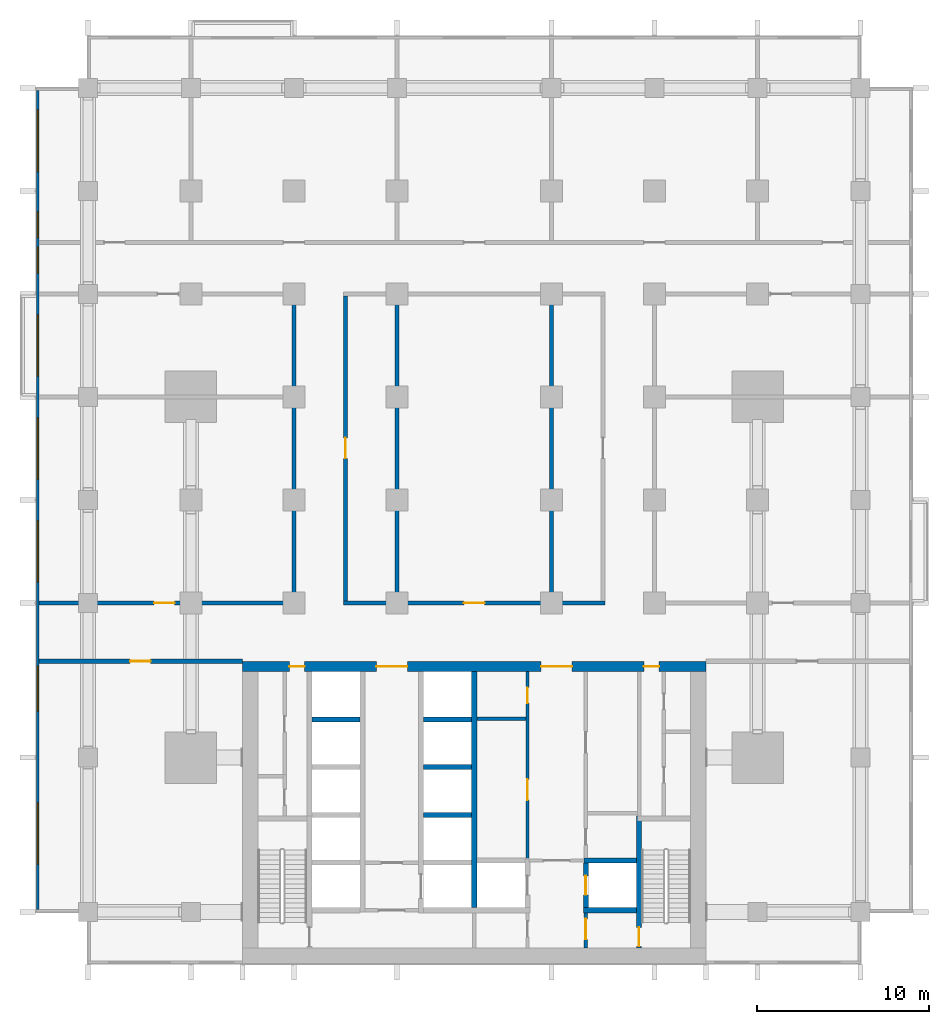
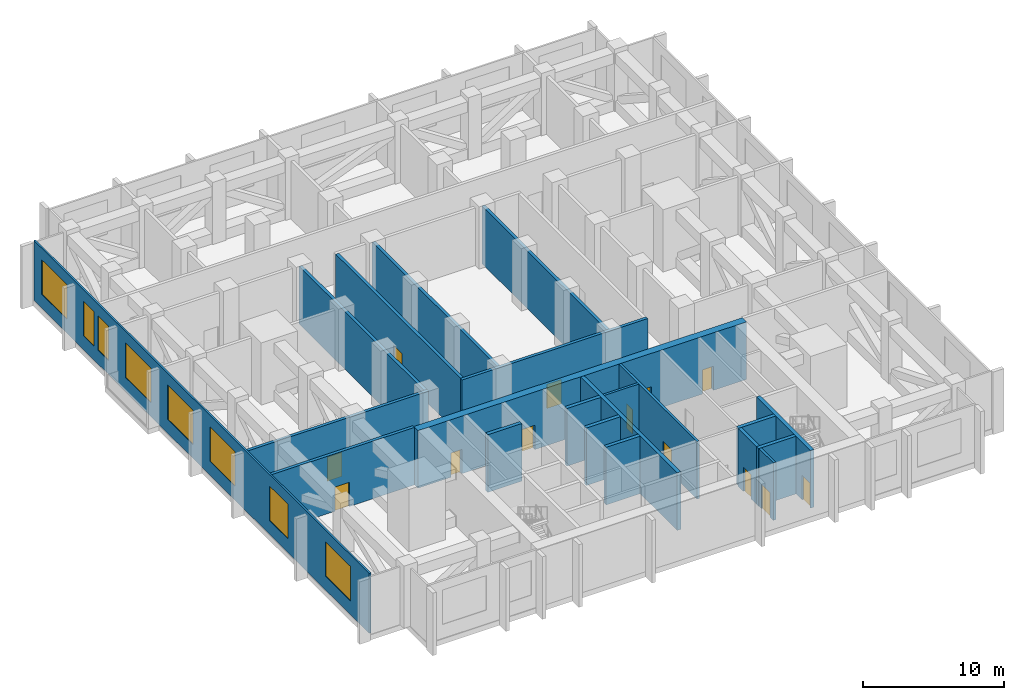
# One storey, part 3 of 13: 21 walls, 13 doors, 8 windows, 21 openings.
"""IFC4 building model written with IfcOpenShell, lengths in metres."""

from ifc_helpers import new_model, si_unit, direction, frame, frame_2d, origin, place, context, subcontext, project, spatial, rectangle, extrude, material, layer, layer_set, type_object, element, fill, save


model = new_model("IFC4")

# Units and contexts
model_context = context("Model", 3, precision=1e-05, world=origin(), true_north=direction((0.0, 1.0)))
body_context = subcontext(model_context, "Body", "Model", "MODEL_VIEW")
ifc_project = project(units=[si_unit("LENGTHUNIT", "METRE"), si_unit("AREAUNIT", "SQUARE_METRE"), si_unit("VOLUMEUNIT", "CUBIC_METRE"), si_unit("PLANEANGLEUNIT", "RADIAN"), si_unit("MASSUNIT", "GRAM", prefix="KILO")], contexts=[model_context])

# Site, building, storey
site_placement = place(None, origin())
site = spatial("IfcSite", under=ifc_project, at=site_placement, CompositionType="ELEMENT")
building_placement = place(site_placement, origin())
building = spatial("IfcBuilding", under=site, at=building_placement, Name="Finial Court Residences", CompositionType="ELEMENT")
storey_placement = place(building_placement, frame((0.0, 0.0, 75.699951171875)))
storey = spatial("IfcBuildingStorey", under=building, at=storey_placement, Name="L18", CompositionType="ELEMENT", Elevation=75.699951171875)

# Wall, openings, doors
ifc_material_1 = material(Name="Concrete C80/95", Category="concrete")
ifc_layer_1 = layer(ifc_material_1, 0.60009765625)
ifc_layer_set_1 = layer_set([ifc_layer_1], Name="Core outer wall 600 Concrete C80/95")
wall_type_1 = type_object("IfcWallType", Name="Core outer wall 600 Concrete C80/95", PredefinedType="SHEAR", material=ifc_layer_set_1)
wall_1_placement = place(storey_placement, frame((-13.5, -8.199951171875, 0.0), z_axis=(0.0, 0.0, 1.0), x_axis=(1.0, 0.0, 0.0)))
wall_1 = element("IfcWall", 1, at=wall_1_placement, inside=storey, type_object=wall_type_1, Name="Core outer wall L18-02", PredefinedType="SHEAR", context=body_context, shape_type="SweptSolid", body=[
    extrude(rectangle(XDim=27.0, YDim=0.60009765625, at=frame_2d((13.5, 0.0))), origin(), (0.0, 0.0, 1.0), 5.0),
])
opening_1_placement = place(wall_1_placement, frame((7.800048828125, 0.0, 0.0)))
opening_1 = element("IfcOpeningElement", 2, at=opening_1_placement, cuts=wall_1, Name="Opening L18-C03", PredefinedType="OPENING", context=body_context, shape_type="SweptSolid", body=[
    extrude(rectangle(XDim=1.800048828125, YDim=2.10009765625, at=frame_2d((0.89990234375, 1.050048828125))), frame((0.0, 0.31005859375, 0.0), z_axis=(0.0, -1.0, 0.0), x_axis=(1.0, 0.0, 0.0)), (0.0, 0.0, 1.0), 0.6201171875),
])
opening_2_placement = place(wall_1_placement, frame((17.39990234375, 0.0, 0.0)))
opening_2 = element("IfcOpeningElement", 3, at=opening_2_placement, cuts=wall_1, Name="Opening L18-C04", PredefinedType="OPENING", context=body_context, shape_type="SweptSolid", body=[
    extrude(rectangle(XDim=1.800048828125, YDim=2.10009765625, at=frame_2d((0.89990234375, 1.050048828125))), frame((0.0, 0.31005859375, 0.0), z_axis=(0.0, -1.0, 0.0), x_axis=(1.0, 0.0, 0.0)), (0.0, 0.0, 1.0), 0.6201171875),
])
opening_3_placement = place(wall_1_placement, frame((2.72509765625, 0.0, 0.0)))
opening_3 = element("IfcOpeningElement", 4, at=opening_3_placement, cuts=wall_1, Name="Opening L18-C13", PredefinedType="OPENING", context=body_context, shape_type="SweptSolid", body=[
    extrude(rectangle(XDim=0.89990234375, YDim=2.10009765625, at=frame_2d((0.449951171875, 1.050048828125))), frame((0.0, 0.31005859375, 0.0), z_axis=(0.0, -1.0, 0.0), x_axis=(1.0, 0.0, 0.0)), (0.0, 0.0, 1.0), 0.6201171875),
])
opening_4_placement = place(wall_1_placement, frame((23.375, 0.0, 0.0)))
opening_4 = element("IfcOpeningElement", 5, at=opening_4_placement, cuts=wall_1, Name="Opening L18-C14", PredefinedType="OPENING", context=body_context, shape_type="SweptSolid", body=[
    extrude(rectangle(XDim=0.89990234375, YDim=2.10009765625, at=frame_2d((0.449951171875, 1.050048828125))), frame((0.0, 0.31005859375, 0.0), z_axis=(0.0, -1.0, 0.0), x_axis=(1.0, 0.0, 0.0)), (0.0, 0.0, 1.0), 0.6201171875),
])
ifc_material_2 = material(Name="Steel fire door", Category="steel")
door_type_1 = type_object("IfcDoorType", Name="Lift lobby door 1800 x 2100 EI 60", OperationType="DOUBLE_DOOR_SINGLE_SWING", PredefinedType="DOOR", material=ifc_material_2)
door_1_placement = place(opening_1_placement, origin())
door_1 = element("IfcDoor", 6, at=door_1_placement, inside=storey, type_object=door_type_1, Name="Lift lobby door L18-C03", OperationType="DOUBLE_DOOR_SINGLE_SWING", OverallHeight=2.10009765625, OverallWidth=1.800048828125, PredefinedType="DOOR", context=body_context, shape_type="SweptSolid", body=[
    extrude(rectangle(XDim=1.800048828125, YDim=2.10009765625, at=frame_2d((0.89990234375, 1.050048828125))), frame((0.0, 0.02490234375, 0.0), z_axis=(0.0, -1.0, 0.0), x_axis=(1.0, 0.0, 0.0)), (0.0, 0.0, 1.0), 0.050048828125),
])
fill(opening_1, door_1)
door_2_placement = place(opening_2_placement, origin())
door_2 = element("IfcDoor", 7, at=door_2_placement, inside=storey, type_object=door_type_1, Name="Lift lobby door L18-C04", OperationType="DOUBLE_DOOR_SINGLE_SWING", OverallHeight=2.10009765625, OverallWidth=1.800048828125, PredefinedType="DOOR", context=body_context, shape_type="SweptSolid", body=[
    extrude(rectangle(XDim=1.800048828125, YDim=2.10009765625, at=frame_2d((0.89990234375, 1.050048828125))), frame((0.0, 0.02490234375, 0.0), z_axis=(0.0, -1.0, 0.0), x_axis=(1.0, 0.0, 0.0)), (0.0, 0.0, 1.0), 0.050048828125),
])
fill(opening_2, door_2)
door_type_2 = type_object("IfcDoorType", Name="Riser room door 900 x 2100 EI 90", OperationType="NOTDEFINED", PredefinedType="DOOR", material=ifc_material_2)
door_3_placement = place(opening_3_placement, origin())
door_3 = element("IfcDoor", 8, at=door_3_placement, inside=storey, type_object=door_type_2, Name="Riser room door L18-C13", OperationType="SINGLE_SWING_RIGHT", OverallHeight=2.10009765625, OverallWidth=0.89990234375, PredefinedType="DOOR", context=body_context, shape_type="SweptSolid", body=[
    extrude(rectangle(XDim=0.89990234375, YDim=2.10009765625, at=frame_2d((0.449951171875, 1.050048828125))), frame((0.0, 0.02490234375, 0.0), z_axis=(0.0, -1.0, 0.0), x_axis=(1.0, 0.0, 0.0)), (0.0, 0.0, 1.0), 0.050048828125),
])
fill(opening_3, door_3)
door_4_placement = place(opening_4_placement, origin())
door_4 = element("IfcDoor", 9, at=door_4_placement, inside=storey, type_object=door_type_2, Name="Riser room door L18-C14", OperationType="SINGLE_SWING_LEFT", OverallHeight=2.10009765625, OverallWidth=0.89990234375, PredefinedType="DOOR", context=body_context, shape_type="SweptSolid", body=[
    extrude(rectangle(XDim=0.89990234375, YDim=2.10009765625, at=frame_2d((0.449951171875, 1.050048828125))), frame((0.0, 0.02490234375, 0.0), z_axis=(0.0, -1.0, 0.0), x_axis=(1.0, 0.0, 0.0)), (0.0, 0.0, 1.0), 0.050048828125),
])
fill(opening_4, door_4)

# Wall, opening, door
ifc_material_3 = material(Name="Fire-rated gypsum board partition")
ifc_layer_2 = layer(ifc_material_3, 0.199951171875)
ifc_layer_set_2 = layer_set([ifc_layer_2], Name="Firefighting lobby wall 200 EI 120")
wall_type_2 = type_object("IfcWallType", Name="Firefighting lobby wall 200 EI 120", PredefinedType="PARTITIONING", material=ifc_layer_set_2)
wall_2_placement = place(storey_placement, frame((6.5, -22.550048828125, 0.0), z_axis=(0.0, 0.0, 1.0), x_axis=(0.0, -1.0, 0.0)))
wall_2 = element("IfcWall", 10, at=wall_2_placement, inside=storey, type_object=wall_type_2, Name="Core partition L18-34", PredefinedType="PARTITIONING", context=body_context, shape_type="SweptSolid", body=[
    extrude(rectangle(XDim=2.050048828125, YDim=0.199951171875, at=frame_2d((1.02490234375, 0.0))), origin(), (0.0, 0.0, 1.0), 5.0),
])
opening_5_placement = place(wall_2_placement, frame((0.35009765625, 0.0, 0.0)))
opening_5 = element("IfcOpeningElement", 11, at=opening_5_placement, cuts=wall_2, Name="Opening L18-C01", PredefinedType="OPENING", context=body_context, shape_type="SweptSolid", body=[
    extrude(rectangle(XDim=1.199951171875, YDim=2.10009765625, at=frame_2d((0.60009765625, 1.050048828125))), frame((0.0, 0.10986328125, 0.0), z_axis=(0.0, -1.0, 0.0), x_axis=(1.0, 0.0, 0.0)), (0.0, 0.0, 1.0), 0.219970703125),
])
door_type_3 = type_object("IfcDoorType", Name="Firefighting lobby door 1200 x 2100 EI 90", OperationType="NOTDEFINED", PredefinedType="DOOR", material=ifc_material_2)
door_5_placement = place(opening_5_placement, origin())
door_5 = element("IfcDoor", 12, at=door_5_placement, inside=storey, type_object=door_type_3, Name="Firefighting lobby door L18-C01", OperationType="SINGLE_SWING_RIGHT", OverallHeight=2.10009765625, OverallWidth=1.199951171875, PredefinedType="DOOR", context=body_context, shape_type="SweptSolid", body=[
    extrude(rectangle(XDim=1.199951171875, YDim=2.10009765625, at=frame_2d((0.60009765625, 1.050048828125))), frame((0.0, 0.02490234375, 0.0), z_axis=(0.0, -1.0, 0.0), x_axis=(1.0, 0.0, 0.0)), (0.0, 0.0, 1.0), 0.050048828125),
])
fill(opening_5, door_5)

# Walls
ifc_layer_3 = layer(ifc_material_1, 0.300048828125)
ifc_layer_set_3 = layer_set([ifc_layer_3], Name="Lift shaft and stair wall 300 Concrete C80/95")
wall_type_3 = type_object("IfcWallType", Name="Lift shaft and stair wall 300 Concrete C80/95", PredefinedType="SHEAR", material=ifc_layer_set_3)
wall_3_placement = place(storey_placement, frame((6.35009765625, -22.39990234375, 0.0), z_axis=(0.0, 0.0, 1.0), x_axis=(1.0, 0.0, 0.0)))
element("IfcWall", 13, at=wall_3_placement, inside=storey, type_object=wall_type_3, Name="Core wall L18-04", PredefinedType="SHEAR", context=body_context, shape_type="SweptSolid", body=[
    extrude(rectangle(XDim=3.099853515625, YDim=0.300048828125, at=frame_2d((1.5498046875, 0.0))), origin(), (0.0, 0.0, 1.0), 5.0),
])
wall_4_placement = place(storey_placement, frame((6.39990234375, -19.5, 0.0), z_axis=(0.0, 0.0, 1.0), x_axis=(1.0, 0.0, 0.0)))
element("IfcWall", 14, at=wall_4_placement, inside=storey, type_object=wall_type_3, Name="Core wall L18-10", PredefinedType="SHEAR", context=body_context, shape_type="SweptSolid", body=[
    extrude(rectangle(XDim=3.050048828125, YDim=0.300048828125, at=frame_2d((1.52490234375, 0.0))), origin(), (0.0, 0.0, 1.0), 5.0),
])
for number, where, z_axis, x_axis, name in (
    (15, (-2.949951171875, -16.840087890625, 0.0), (0.0, 0.0, 1.0), (1.0, 0.0, 0.0), "Core wall L18-14"),
    (16, (-2.949951171875, -14.06005859375, 0.0), (0.0, 0.0, 1.0), (1.0, 0.0, 0.0), "Core wall L18-18"),
    (17, (-9.449951171875, -11.280029296875, 0.0), (0.0, 0.0, 1.0), (1.0, 0.0, 0.0), "Core wall L18-20"),
    (18, (-2.949951171875, -11.280029296875, 0.0), (0.0, 0.0, 1.0), (1.0, 0.0, 0.0), "Core wall L18-21"),
):
    element("IfcWall", number, at=place(storey_placement, frame(where, z_axis=z_axis, x_axis=x_axis)), inside=storey, type_object=wall_type_3, Name=name, PredefinedType="SHEAR", context=body_context, shape_type="SweptSolid", body=[
        extrude(rectangle(XDim=2.800048828125, YDim=0.300048828125, at=frame_2d((1.39990234375, 0.0))), origin(), (0.0, 0.0, 1.0), 5.0),
    ])
wall_5_placement = place(storey_placement, frame((0.0, -22.25, 0.0), z_axis=(0.0, 0.0, 1.0), x_axis=(0.0, 1.0, 0.0)))
element("IfcWall", 19, at=wall_5_placement, inside=storey, type_object=wall_type_3, Name="Core wall L18-30", PredefinedType="SHEAR", context=body_context, shape_type="SweptSolid", body=[
    extrude(rectangle(XDim=13.75, YDim=0.300048828125, at=frame_2d((6.875, 0.0))), origin(), (0.0, 0.0, 1.0), 5.0),
])

# Wall, opening, door
wall_6_placement = place(storey_placement, frame((6.5, -22.25, 0.0), z_axis=(0.0, 0.0, 1.0), x_axis=(0.0, 1.0, 0.0)))
wall_6 = element("IfcWall", 20, at=wall_6_placement, inside=storey, type_object=wall_type_3, Name="Core wall L18-35", PredefinedType="SHEAR", context=body_context, shape_type="SweptSolid", body=[
    extrude(rectangle(XDim=2.60009765625, YDim=0.300048828125, at=frame_2d((1.300048828125, 0.0))), origin(), (0.0, 0.0, 1.0), 5.0),
])
opening_6_placement = place(wall_6_placement, frame((0.75, 0.0, 0.0)))
opening_6 = element("IfcOpeningElement", 21, at=opening_6_placement, cuts=wall_6, Name="Opening L18-LD02", PredefinedType="OPENING", context=body_context, shape_type="SweptSolid", body=[
    extrude(rectangle(XDim=1.10009765625, YDim=2.10009765625, at=frame_2d((0.550048828125, 1.050048828125))), frame((0.0, 0.159912109375, 0.0), z_axis=(0.0, -1.0, 0.0), x_axis=(1.0, 0.0, 0.0)), (0.0, 0.0, 1.0), 0.320068359375),
])
ifc_material_4 = material(Name="Stainless steel lift door", Category="steel")
door_type_4 = type_object("IfcDoorType", Name="Lift landing door 1100 x 2100 EI 90", OperationType="DOUBLE_DOOR_SLIDING", PredefinedType="DOOR", material=ifc_material_4)
door_6_placement = place(opening_6_placement, origin())
door_6 = element("IfcDoor", 22, at=door_6_placement, inside=storey, type_object=door_type_4, Name="Lift landing door FF2 L18", OperationType="DOUBLE_DOOR_SLIDING", OverallHeight=2.10009765625, OverallWidth=1.10009765625, PredefinedType="DOOR", context=body_context, shape_type="SweptSolid", body=[
    extrude(rectangle(XDim=1.10009765625, YDim=2.10009765625, at=frame_2d((0.550048828125, 1.050048828125))), frame((0.0, 0.02490234375, 0.0), z_axis=(0.0, -1.0, 0.0), x_axis=(1.0, 0.0, 0.0)), (0.0, 0.0, 1.0), 0.050048828125),
])
fill(opening_6, door_6)

wall_7_placement = place(storey_placement, frame((9.60009765625, -16.89990234375, 0.0), z_axis=(0.0, 0.0, 1.0), x_axis=(0.0, -1.0, 0.0)))
wall_7 = element("IfcWall", 23, at=wall_7_placement, inside=storey, type_object=wall_type_3, Name="Core wall L18-37", PredefinedType="SHEAR", context=body_context, shape_type="SweptSolid", body=[
    extrude(rectangle(XDim=7.7001953125, YDim=0.300048828125, at=frame_2d((3.85009765625, 0.0))), origin(), (0.0, 0.0, 1.0), 5.0),
])
opening_7_placement = place(wall_7_placement, frame((6.5, 0.0, 0.0)))
opening_7 = element("IfcOpeningElement", 24, at=opening_7_placement, cuts=wall_7, Name="Opening L18-C19", PredefinedType="OPENING", context=body_context, shape_type="SweptSolid", body=[
    extrude(rectangle(XDim=1.10009765625, YDim=2.10009765625, at=frame_2d((0.550048828125, 1.050048828125))), frame((0.0, 0.159912109375, 0.0), z_axis=(0.0, -1.0, 0.0), x_axis=(1.0, 0.0, 0.0)), (0.0, 0.0, 1.0), 0.320068359375),
])
door_type_5 = type_object("IfcDoorType", Name="Stair door 1100 x 2100 EI 90", OperationType="NOTDEFINED", PredefinedType="DOOR", material=ifc_material_2)
door_7_placement = place(opening_7_placement, origin())
door_7 = element("IfcDoor", 25, at=door_7_placement, inside=storey, type_object=door_type_5, Name="Stair door L18-C19", OperationType="SINGLE_SWING_RIGHT", OverallHeight=2.10009765625, OverallWidth=1.10009765625, PredefinedType="DOOR", context=body_context, shape_type="SweptSolid", body=[
    extrude(rectangle(XDim=1.10009765625, YDim=2.10009765625, at=frame_2d((0.550048828125, 1.050048828125))), frame((0.0, 0.02490234375, 0.0), z_axis=(0.0, -1.0, 0.0), x_axis=(1.0, 0.0, 0.0)), (0.0, 0.0, 1.0), 0.050048828125),
])
fill(opening_7, door_7)

ifc_material_5 = material(Name="Fire-rated board")
ifc_layer_4 = layer(ifc_material_5, 0.050048828125)
ifc_material_6 = material(Name="Mineral wool in double frame")
ifc_layer_5 = layer(ifc_material_6, 0.14990234375)
ifc_layer_6 = layer(ifc_material_5, 0.050048828125)
ifc_layer_set_4 = layer_set([ifc_layer_4, ifc_layer_5, ifc_layer_6], Name="Plant room wall 250, 2 hour")
wall_type_4 = type_object("IfcWallType", Name="Plant room wall 250, 2 hour", PredefinedType="PARTITIONING", material=ifc_layer_set_4)
wall_8_placement = place(storey_placement, frame((-25.35009765625, -7.89990234375, 0.0), z_axis=(0.0, 0.0, 1.0), x_axis=(1.0, 0.0, 0.0)))
wall_8 = element("IfcWall", 26, at=wall_8_placement, inside=storey, type_object=wall_type_4, Name="Partition L18-000", PredefinedType="PARTITIONING", context=body_context, shape_type="SweptSolid", body=[
    extrude(rectangle(XDim=11.85009765625, YDim=0.25, at=frame_2d((5.925048828125, 0.0))), origin(), (0.0, 0.0, 1.0), 5.0),
])
opening_8_placement = place(wall_8_placement, frame((5.300048828125, 0.0, 0.0)))
opening_8 = element("IfcOpeningElement", 27, at=opening_8_placement, cuts=wall_8, Name="Opening L18-D001", PredefinedType="OPENING", context=body_context, shape_type="SweptSolid", body=[
    extrude(rectangle(XDim=1.199951171875, YDim=2.10009765625, at=frame_2d((0.60009765625, 1.050048828125))), frame((0.0, 0.135009765625, 0.0), z_axis=(0.0, -1.0, 0.0), x_axis=(1.0, 0.0, 0.0)), (0.0, 0.0, 1.0), 0.27001953125),
])
ifc_material_7 = material(Name="Timber door leaf in hollow metal frame", Category="wood")
door_type_6 = type_object("IfcDoorType", Name="Fire door set 1200 x 2100, 60 minutes", OperationType="SINGLE_SWING_LEFT", PredefinedType="DOOR", material=ifc_material_7)
door_8_placement = place(opening_8_placement, origin())
door_8 = element("IfcDoor", 28, at=door_8_placement, inside=storey, type_object=door_type_6, Name="Door L18-D001", OperationType="SINGLE_SWING_LEFT", OverallHeight=2.10009765625, OverallWidth=1.199951171875, PredefinedType="DOOR", context=body_context, shape_type="SweptSolid", body=[
    extrude(rectangle(XDim=1.199951171875, YDim=2.10009765625, at=frame_2d((0.60009765625, 1.050048828125))), frame((0.0, 0.02490234375, 0.0), z_axis=(0.0, -1.0, 0.0), x_axis=(1.0, 0.0, 0.0)), (0.0, 0.0, 1.0), 0.050048828125),
])
fill(opening_8, door_8)

wall_9_placement = place(storey_placement, frame((-25.35009765625, -4.5, 0.0), z_axis=(0.0, 0.0, 1.0), x_axis=(1.0, 0.0, 0.0)))
wall_9 = element("IfcWall", 29, at=wall_9_placement, inside=storey, type_object=wall_type_4, Name="Partition L18-002", PredefinedType="PARTITIONING", context=body_context, shape_type="SweptSolid", body=[
    extrude(rectangle(XDim=14.97509765625, YDim=0.25, at=frame_2d((7.487548828125, 0.0))), origin(), (0.0, 0.0, 1.0), 5.0),
])
opening_9_placement = place(wall_9_placement, frame((6.699951171875, 0.0, 0.0)))
opening_9 = element("IfcOpeningElement", 30, at=opening_9_placement, cuts=wall_9, Name="Opening L18-D003", PredefinedType="OPENING", context=body_context, shape_type="SweptSolid", body=[
    extrude(rectangle(XDim=1.199951171875, YDim=2.10009765625, at=frame_2d((0.60009765625, 1.050048828125))), frame((0.0, 0.135009765625, 0.0), z_axis=(0.0, -1.0, 0.0), x_axis=(1.0, 0.0, 0.0)), (0.0, 0.0, 1.0), 0.27001953125),
])
door_9_placement = place(opening_9_placement, origin())
door_9 = element("IfcDoor", 31, at=door_9_placement, inside=storey, type_object=door_type_6, Name="Door L18-D003", OperationType="SINGLE_SWING_RIGHT", OverallHeight=2.10009765625, OverallWidth=1.199951171875, PredefinedType="DOOR", context=body_context, shape_type="SweptSolid", body=[
    extrude(rectangle(XDim=1.199951171875, YDim=2.10009765625, at=frame_2d((0.60009765625, 1.050048828125))), frame((0.0, 0.02490234375, 0.0), z_axis=(0.0, -1.0, 0.0), x_axis=(1.0, 0.0, 0.0)), (0.0, 0.0, 1.0), 0.050048828125),
])
fill(opening_9, door_9)

wall_10_placement = place(storey_placement, frame((-7.625, -4.5, 0.0), z_axis=(0.0, 0.0, 1.0), x_axis=(1.0, 0.0, 0.0)))
wall_10 = element("IfcWall", 32, at=wall_10_placement, inside=storey, type_object=wall_type_4, Name="Partition L18-003", PredefinedType="PARTITIONING", context=body_context, shape_type="SweptSolid", body=[
    extrude(rectangle(XDim=15.25, YDim=0.25, at=frame_2d((7.625, 0.0))), origin(), (0.0, 0.0, 1.0), 5.0),
])
opening_10_placement = place(wall_10_placement, frame((7.02490234375, 0.0, 0.0)))
opening_10 = element("IfcOpeningElement", 33, at=opening_10_placement, cuts=wall_10, Name="Opening L18-D004", PredefinedType="OPENING", context=body_context, shape_type="SweptSolid", body=[
    extrude(rectangle(XDim=1.199951171875, YDim=2.10009765625, at=frame_2d((0.60009765625, 1.050048828125))), frame((0.0, 0.135009765625, 0.0), z_axis=(0.0, -1.0, 0.0), x_axis=(1.0, 0.0, 0.0)), (0.0, 0.0, 1.0), 0.27001953125),
])
door_10_placement = place(opening_10_placement, origin())
door_10 = element("IfcDoor", 34, at=door_10_placement, inside=storey, type_object=door_type_6, Name="Door L18-D004", OperationType="SINGLE_SWING_RIGHT", OverallHeight=2.10009765625, OverallWidth=1.199951171875, PredefinedType="DOOR", context=body_context, shape_type="SweptSolid", body=[
    extrude(rectangle(XDim=1.199951171875, YDim=2.10009765625, at=frame_2d((0.60009765625, 1.050048828125))), frame((0.0, 0.02490234375, 0.0), z_axis=(0.0, -1.0, 0.0), x_axis=(1.0, 0.0, 0.0)), (0.0, 0.0, 1.0), 0.050048828125),
])
fill(opening_10, door_10)

# Wall
wall_11_placement = place(storey_placement, frame((-10.5, -4.375, 0.0), z_axis=(0.0, 0.0, 1.0), x_axis=(0.0, 1.0, 0.0)))
element("IfcWall", 35, at=wall_11_placement, inside=storey, type_object=wall_type_4, Name="Partition L18-012", PredefinedType="PARTITIONING", context=body_context, shape_type="SweptSolid", body=[
    extrude(rectangle(XDim=17.75, YDim=0.25, at=frame_2d((8.875, 0.0))), origin(), (0.0, 0.0, 1.0), 5.0),
])

# Wall, opening, door
wall_12_placement = place(storey_placement, frame((-7.5, -4.375, 0.0), z_axis=(0.0, 0.0, 1.0), x_axis=(0.0, 1.0, 0.0)))
wall_12 = element("IfcWall", 36, at=wall_12_placement, inside=storey, type_object=wall_type_4, Name="Partition L18-013", PredefinedType="PARTITIONING", context=body_context, shape_type="SweptSolid", body=[
    extrude(rectangle(XDim=17.75, YDim=0.25, at=frame_2d((8.875, 0.0))), origin(), (0.0, 0.0, 1.0), 5.0),
])
opening_11_placement = place(wall_12_placement, frame((8.300048828125, 0.0, 0.0)))
opening_11 = element("IfcOpeningElement", 37, at=opening_11_placement, cuts=wall_12, Name="Opening L18-D013", PredefinedType="OPENING", context=body_context, shape_type="SweptSolid", body=[
    extrude(rectangle(XDim=1.199951171875, YDim=2.10009765625, at=frame_2d((0.60009765625, 1.050048828125))), frame((0.0, 0.135009765625, 0.0), z_axis=(0.0, -1.0, 0.0), x_axis=(1.0, 0.0, 0.0)), (0.0, 0.0, 1.0), 0.27001953125),
])
door_11_placement = place(opening_11_placement, origin())
door_11 = element("IfcDoor", 38, at=door_11_placement, inside=storey, type_object=door_type_6, Name="Door L18-D013", OperationType="SINGLE_SWING_LEFT", OverallHeight=2.10009765625, OverallWidth=1.199951171875, PredefinedType="DOOR", context=body_context, shape_type="SweptSolid", body=[
    extrude(rectangle(XDim=1.199951171875, YDim=2.10009765625, at=frame_2d((0.60009765625, 1.050048828125))), frame((0.0, 0.02490234375, 0.0), z_axis=(0.0, -1.0, 0.0), x_axis=(1.0, 0.0, 0.0)), (0.0, 0.0, 1.0), 0.050048828125),
])
fill(opening_11, door_11)

# Walls
for number, where, z_axis, x_axis, name in (
    (39, (-4.5, -4.375, 0.0), (0.0, 0.0, 1.0), (0.0, 1.0, 0.0), "Partition L18-014"),
    (40, (4.5, -4.375, 0.0), (0.0, 0.0, 1.0), (0.0, 1.0, 0.0), "Partition L18-016"),
):
    element("IfcWall", number, at=place(storey_placement, frame(where, z_axis=z_axis, x_axis=x_axis)), inside=storey, type_object=wall_type_4, Name=name, PredefinedType="PARTITIONING", context=body_context, shape_type="SweptSolid", body=[
        extrude(rectangle(XDim=17.75, YDim=0.25, at=frame_2d((8.875, 0.0))), origin(), (0.0, 0.0, 1.0), 5.0),
    ])

# Wall, openings, windows
ifc_material_8 = material(Name="Natural limestone", Category="masonry")
ifc_layer_7 = layer(ifc_material_8, 0.14990234375)
ifc_layer_set_5 = layer_set([ifc_layer_7], Name="Plant storey wall, limestone clad 150")
wall_type_5 = type_object("IfcWallType", Name="Plant storey wall, limestone clad 150", PredefinedType="SOLIDWALL", material=ifc_layer_set_5)
wall_13_placement = place(storey_placement, frame((-25.425048828125, -22.35009765625, 0.0), z_axis=(0.0, 0.0, 1.0), x_axis=(0.0, 1.0, 0.0)))
wall_13 = element("IfcWall", 41, at=wall_13_placement, inside=storey, type_object=wall_type_5, Name="E-L18-PWW5", PredefinedType="SOLIDWALL", context=body_context, shape_type="SweptSolid", body=[
    extrude(rectangle(XDim=47.7001953125, YDim=0.14990234375, at=frame_2d((23.85009765625, 0.0))), origin(), (0.0, 0.0, 1.0), 5.199951171875),
])
opening_12_placement = place(wall_13_placement, frame((2.625, 0.0, 1.199951171875)))
opening_12 = element("IfcOpeningElement", 42, at=opening_12_placement, cuts=wall_13, Name="Opening WE18-20", PredefinedType="OPENING", context=body_context, shape_type="SweptSolid", body=[
    extrude(rectangle(XDim=3.60009765625, YDim=3.0, at=frame_2d((1.800048828125, 1.5))), frame((0.0, 0.0849609375, 0.0), z_axis=(0.0, -1.0, 0.0), x_axis=(1.0, 0.0, 0.0)), (0.0, 0.0, 1.0), 0.169921875),
])
opening_13_placement = place(wall_13_placement, frame((11.550048828125, 0.0, 1.199951171875)))
opening_13 = element("IfcOpeningElement", 43, at=opening_13_placement, cuts=wall_13, Name="Opening WE18-21", PredefinedType="OPENING", context=body_context, shape_type="SweptSolid", body=[
    extrude(rectangle(XDim=2.625, YDim=3.0, at=frame_2d((1.3125, 1.5))), frame((0.0, 0.0849609375, 0.0), z_axis=(0.0, -1.0, 0.0), x_axis=(1.0, 0.0, 0.0)), (0.0, 0.0, 1.0), 0.169921875),
])
opening_14_placement = place(wall_13_placement, frame((19.050048828125, 0.0, 1.199951171875)))
opening_14 = element("IfcOpeningElement", 44, at=opening_14_placement, cuts=wall_13, Name="Opening WE18-22", PredefinedType="OPENING", context=body_context, shape_type="SweptSolid", body=[
    extrude(rectangle(XDim=3.60009765625, YDim=3.0, at=frame_2d((1.800048828125, 1.5))), frame((0.0, 0.0849609375, 0.0), z_axis=(0.0, -1.0, 0.0), x_axis=(1.0, 0.0, 0.0)), (0.0, 0.0, 1.0), 0.169921875),
])
opening_15_placement = place(wall_13_placement, frame((25.050048828125, 0.0, 1.199951171875)))
opening_15 = element("IfcOpeningElement", 45, at=opening_15_placement, cuts=wall_13, Name="Opening WE18-23", PredefinedType="OPENING", context=body_context, shape_type="SweptSolid", body=[
    extrude(rectangle(XDim=3.60009765625, YDim=3.0, at=frame_2d((1.800048828125, 1.5))), frame((0.0, 0.0849609375, 0.0), z_axis=(0.0, -1.0, 0.0), x_axis=(1.0, 0.0, 0.0)), (0.0, 0.0, 1.0), 0.169921875),
])
opening_16_placement = place(wall_13_placement, frame((31.050048828125, 0.0, 1.199951171875)))
opening_16 = element("IfcOpeningElement", 46, at=opening_16_placement, cuts=wall_13, Name="Opening WE18-24", PredefinedType="OPENING", context=body_context, shape_type="SweptSolid", body=[
    extrude(rectangle(XDim=3.60009765625, YDim=3.0, at=frame_2d((1.800048828125, 1.5))), frame((0.0, 0.0849609375, 0.0), z_axis=(0.0, -1.0, 0.0), x_axis=(1.0, 0.0, 0.0)), (0.0, 0.0, 1.0), 0.169921875),
])
opening_17_placement = place(wall_13_placement, frame((37.050048828125, 0.0, 1.199951171875)))
opening_17 = element("IfcOpeningElement", 47, at=opening_17_placement, cuts=wall_13, Name="Opening WE18-25", PredefinedType="OPENING", context=body_context, shape_type="SweptSolid", body=[
    extrude(rectangle(XDim=1.52490234375, YDim=3.0, at=frame_2d((0.762451171875, 1.5))), frame((0.0, 0.0849609375, 0.0), z_axis=(0.0, -1.0, 0.0), x_axis=(1.0, 0.0, 0.0)), (0.0, 0.0, 1.0), 0.169921875),
])
opening_18_placement = place(wall_13_placement, frame((39.125, 0.0, 1.199951171875)))
opening_18 = element("IfcOpeningElement", 48, at=opening_18_placement, cuts=wall_13, Name="Opening WE18-26", PredefinedType="OPENING", context=body_context, shape_type="SweptSolid", body=[
    extrude(rectangle(XDim=1.52490234375, YDim=3.0, at=frame_2d((0.762451171875, 1.5))), frame((0.0, 0.0849609375, 0.0), z_axis=(0.0, -1.0, 0.0), x_axis=(1.0, 0.0, 0.0)), (0.0, 0.0, 1.0), 0.169921875),
])
opening_19_placement = place(wall_13_placement, frame((42.97509765625, 0.0, 1.199951171875)))
opening_19 = element("IfcOpeningElement", 49, at=opening_19_placement, cuts=wall_13, Name="Opening WE18-27", PredefinedType="OPENING", context=body_context, shape_type="SweptSolid", body=[
    extrude(rectangle(XDim=3.60009765625, YDim=3.0, at=frame_2d((1.800048828125, 1.5))), frame((0.0, 0.0849609375, 0.0), z_axis=(0.0, -1.0, 0.0), x_axis=(1.0, 0.0, 0.0)), (0.0, 0.0, 1.0), 0.169921875),
])
ifc_material_9 = material(Name="Bronze anodised aluminium", Category="aluminium")
window_type_1 = type_object("IfcWindowType", Name="Plant louvre 1525 x 3000", PartitioningType="SINGLE_PANEL", PredefinedType="WINDOW", material=ifc_material_9)
window_1_placement = place(opening_17_placement, origin())
window_1 = element("IfcWindow", 50, at=window_1_placement, inside=storey, type_object=window_type_1, Name="E-L18-PWW5-W6", OverallHeight=3.0, OverallWidth=1.52490234375, PartitioningType="SINGLE_PANEL", PredefinedType="WINDOW", context=body_context, shape_type="SweptSolid", body=[
    extrude(rectangle(XDim=1.52490234375, YDim=3.0, at=frame_2d((0.762451171875, 1.5))), frame((0.0, 0.030029296875, 0.0), z_axis=(0.0, -1.0, 0.0), x_axis=(1.0, 0.0, 0.0)), (0.0, 0.0, 1.0), 0.06005859375),
])
fill(opening_17, window_1)
window_2_placement = place(opening_18_placement, origin())
window_2 = element("IfcWindow", 51, at=window_2_placement, inside=storey, type_object=window_type_1, Name="E-L18-PWW5-W7", OverallHeight=3.0, OverallWidth=1.52490234375, PartitioningType="SINGLE_PANEL", PredefinedType="WINDOW", context=body_context, shape_type="SweptSolid", body=[
    extrude(rectangle(XDim=1.52490234375, YDim=3.0, at=frame_2d((0.762451171875, 1.5))), frame((0.0, 0.030029296875, 0.0), z_axis=(0.0, -1.0, 0.0), x_axis=(1.0, 0.0, 0.0)), (0.0, 0.0, 1.0), 0.06005859375),
])
fill(opening_18, window_2)
window_type_2 = type_object("IfcWindowType", Name="Plant louvre 2625 x 3000", PartitioningType="SINGLE_PANEL", PredefinedType="WINDOW", material=ifc_material_9)
window_3_placement = place(opening_13_placement, origin())
window_3 = element("IfcWindow", 52, at=window_3_placement, inside=storey, type_object=window_type_2, Name="E-L18-PWW5-W2", OverallHeight=3.0, OverallWidth=2.625, PartitioningType="SINGLE_PANEL", PredefinedType="WINDOW", context=body_context, shape_type="SweptSolid", body=[
    extrude(rectangle(XDim=2.625, YDim=3.0, at=frame_2d((1.3125, 1.5))), frame((0.0, 0.030029296875, 0.0), z_axis=(0.0, -1.0, 0.0), x_axis=(1.0, 0.0, 0.0)), (0.0, 0.0, 1.0), 0.06005859375),
])
fill(opening_13, window_3)
window_type_3 = type_object("IfcWindowType", Name="Plant louvre 3600 x 3000", PartitioningType="SINGLE_PANEL", PredefinedType="WINDOW", material=ifc_material_9)
window_4_placement = place(opening_12_placement, origin())
window_4 = element("IfcWindow", 53, at=window_4_placement, inside=storey, type_object=window_type_3, Name="E-L18-PWW5-W1", OverallHeight=3.0, OverallWidth=3.60009765625, PartitioningType="SINGLE_PANEL", PredefinedType="WINDOW", context=body_context, shape_type="SweptSolid", body=[
    extrude(rectangle(XDim=3.60009765625, YDim=3.0, at=frame_2d((1.800048828125, 1.5))), frame((0.0, 0.030029296875, 0.0), z_axis=(0.0, -1.0, 0.0), x_axis=(1.0, 0.0, 0.0)), (0.0, 0.0, 1.0), 0.06005859375),
])
fill(opening_12, window_4)
window_5_placement = place(opening_14_placement, origin())
window_5 = element("IfcWindow", 54, at=window_5_placement, inside=storey, type_object=window_type_3, Name="E-L18-PWW5-W3", OverallHeight=3.0, OverallWidth=3.60009765625, PartitioningType="SINGLE_PANEL", PredefinedType="WINDOW", context=body_context, shape_type="SweptSolid", body=[
    extrude(rectangle(XDim=3.60009765625, YDim=3.0, at=frame_2d((1.800048828125, 1.5))), frame((0.0, 0.030029296875, 0.0), z_axis=(0.0, -1.0, 0.0), x_axis=(1.0, 0.0, 0.0)), (0.0, 0.0, 1.0), 0.06005859375),
])
fill(opening_14, window_5)
window_6_placement = place(opening_15_placement, origin())
window_6 = element("IfcWindow", 55, at=window_6_placement, inside=storey, type_object=window_type_3, Name="E-L18-PWW5-W4", OverallHeight=3.0, OverallWidth=3.60009765625, PartitioningType="SINGLE_PANEL", PredefinedType="WINDOW", context=body_context, shape_type="SweptSolid", body=[
    extrude(rectangle(XDim=3.60009765625, YDim=3.0, at=frame_2d((1.800048828125, 1.5))), frame((0.0, 0.030029296875, 0.0), z_axis=(0.0, -1.0, 0.0), x_axis=(1.0, 0.0, 0.0)), (0.0, 0.0, 1.0), 0.06005859375),
])
fill(opening_15, window_6)
window_7_placement = place(opening_16_placement, origin())
window_7 = element("IfcWindow", 56, at=window_7_placement, inside=storey, type_object=window_type_3, Name="E-L18-PWW5-W5", OverallHeight=3.0, OverallWidth=3.60009765625, PartitioningType="SINGLE_PANEL", PredefinedType="WINDOW", context=body_context, shape_type="SweptSolid", body=[
    extrude(rectangle(XDim=3.60009765625, YDim=3.0, at=frame_2d((1.800048828125, 1.5))), frame((0.0, 0.030029296875, 0.0), z_axis=(0.0, -1.0, 0.0), x_axis=(1.0, 0.0, 0.0)), (0.0, 0.0, 1.0), 0.06005859375),
])
fill(opening_16, window_7)
window_8_placement = place(opening_19_placement, origin())
window_8 = element("IfcWindow", 57, at=window_8_placement, inside=storey, type_object=window_type_3, Name="E-L18-PWW5-W8", OverallHeight=3.0, OverallWidth=3.60009765625, PartitioningType="SINGLE_PANEL", PredefinedType="WINDOW", context=body_context, shape_type="SweptSolid", body=[
    extrude(rectangle(XDim=3.60009765625, YDim=3.0, at=frame_2d((1.800048828125, 1.5))), frame((0.0, 0.030029296875, 0.0), z_axis=(0.0, -1.0, 0.0), x_axis=(1.0, 0.0, 0.0)), (0.0, 0.0, 1.0), 0.06005859375),
])
fill(opening_19, window_8)

# Wall
ifc_layer_8 = layer(ifc_material_3, 0.199951171875)
ifc_layer_set_6 = layer_set([ifc_layer_8], Name="Riser room wall 200 EI 120")
wall_type_6 = type_object("IfcWallType", Name="Riser room wall 200 EI 120", PredefinedType="PARTITIONING", material=ifc_layer_set_6)
wall_14_placement = place(storey_placement, frame((0.14990234375, -11.25, 0.0), z_axis=(0.0, 0.0, 1.0), x_axis=(1.0, 0.0, 0.0)))
element("IfcWall", 58, at=wall_14_placement, inside=storey, type_object=wall_type_6, Name="Core partition L18-22", PredefinedType="PARTITIONING", context=body_context, shape_type="SweptSolid", body=[
    extrude(rectangle(XDim=2.85009765625, YDim=0.199951171875, at=frame_2d((1.425048828125, 0.0))), origin(), (0.0, 0.0, 1.0), 5.0),
])

# Wall, openings, doors
wall_15_placement = place(storey_placement, frame((3.10009765625, -19.60009765625, 0.0), z_axis=(0.0, 0.0, 1.0), x_axis=(0.0, 1.0, 0.0)))
wall_15 = element("IfcWall", 59, at=wall_15_placement, inside=storey, type_object=wall_type_6, Name="Core partition L18-33", PredefinedType="PARTITIONING", context=body_context, shape_type="SweptSolid", body=[
    extrude(rectangle(XDim=11.10009765625, YDim=0.199951171875, at=frame_2d((5.550048828125, 0.0))), origin(), (0.0, 0.0, 1.0), 5.0),
])
opening_20_placement = place(wall_15_placement, frame((3.625, 0.0, 0.0)))
opening_20 = element("IfcOpeningElement", 60, at=opening_20_placement, cuts=wall_15, Name="Opening L18-C09", PredefinedType="OPENING", context=body_context, shape_type="SweptSolid", body=[
    extrude(rectangle(XDim=1.199951171875, YDim=2.10009765625, at=frame_2d((0.60009765625, 1.050048828125))), frame((0.0, 0.10986328125, 0.0), z_axis=(0.0, -1.0, 0.0), x_axis=(1.0, 0.0, 0.0)), (0.0, 0.0, 1.0), 0.219970703125),
])
opening_21_placement = place(wall_15_placement, frame((9.27490234375, 0.0, 0.0)))
opening_21 = element("IfcOpeningElement", 61, at=opening_21_placement, cuts=wall_15, Name="Opening L18-C10", PredefinedType="OPENING", context=body_context, shape_type="SweptSolid", body=[
    extrude(rectangle(XDim=0.89990234375, YDim=2.10009765625, at=frame_2d((0.449951171875, 1.050048828125))), frame((0.0, 0.10986328125, 0.0), z_axis=(0.0, -1.0, 0.0), x_axis=(1.0, 0.0, 0.0)), (0.0, 0.0, 1.0), 0.219970703125),
])
door_type_7 = type_object("IfcDoorType", Name="Riser room door 1200 x 2100 EI 90", OperationType="NOTDEFINED", PredefinedType="DOOR", material=ifc_material_2)
door_12_placement = place(opening_20_placement, origin())
door_12 = element("IfcDoor", 62, at=door_12_placement, inside=storey, type_object=door_type_7, Name="Riser room door L18-C09", OperationType="SINGLE_SWING_LEFT", OverallHeight=2.10009765625, OverallWidth=1.199951171875, PredefinedType="DOOR", context=body_context, shape_type="SweptSolid", body=[
    extrude(rectangle(XDim=1.199951171875, YDim=2.10009765625, at=frame_2d((0.60009765625, 1.050048828125))), frame((0.0, 0.02490234375, 0.0), z_axis=(0.0, -1.0, 0.0), x_axis=(1.0, 0.0, 0.0)), (0.0, 0.0, 1.0), 0.050048828125),
])
fill(opening_20, door_12)
door_13_placement = place(opening_21_placement, origin())
door_13 = element("IfcDoor", 63, at=door_13_placement, inside=storey, type_object=door_type_2, Name="Riser room door L18-C10", OperationType="SINGLE_SWING_LEFT", OverallHeight=2.10009765625, OverallWidth=0.89990234375, PredefinedType="DOOR", context=body_context, shape_type="SweptSolid", body=[
    extrude(rectangle(XDim=0.89990234375, YDim=2.10009765625, at=frame_2d((0.449951171875, 1.050048828125))), frame((0.0, 0.02490234375, 0.0), z_axis=(0.0, -1.0, 0.0), x_axis=(1.0, 0.0, 0.0)), (0.0, 0.0, 1.0), 0.050048828125),
])
fill(opening_21, door_13)

save(model, "model.ifc")
